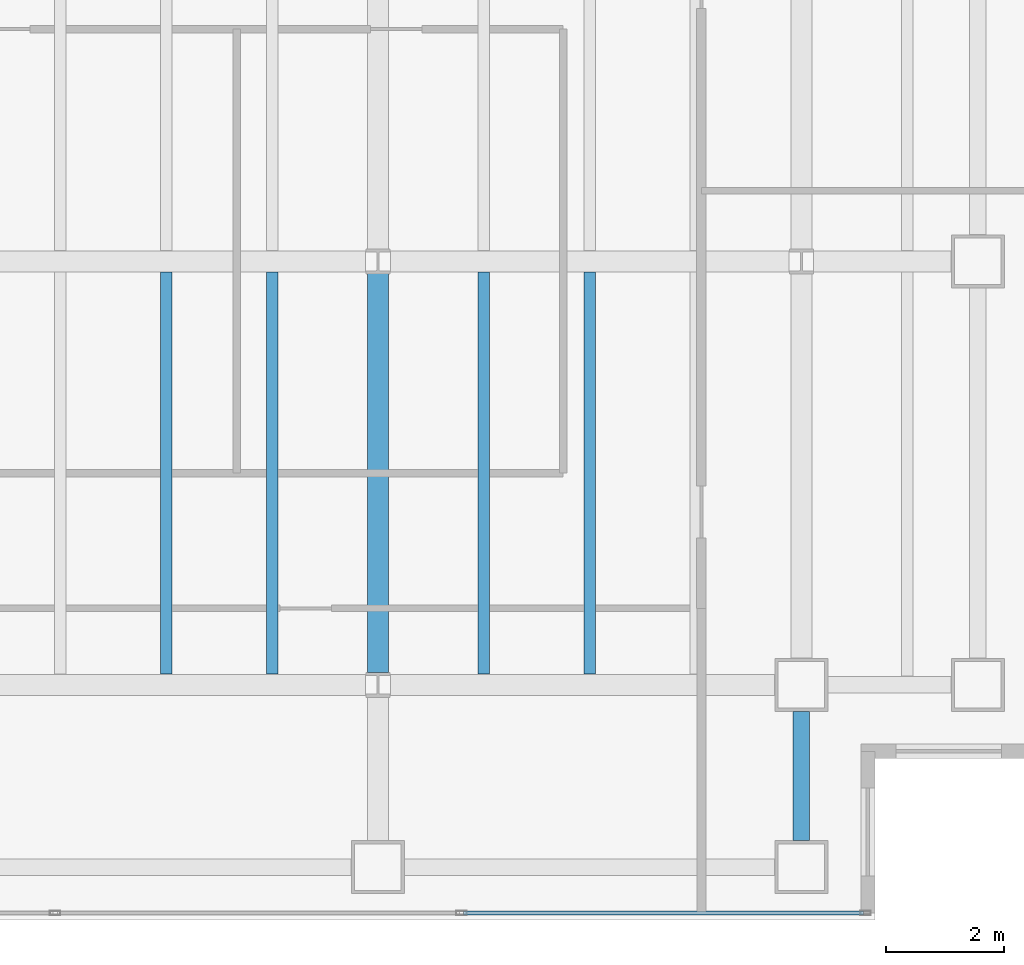
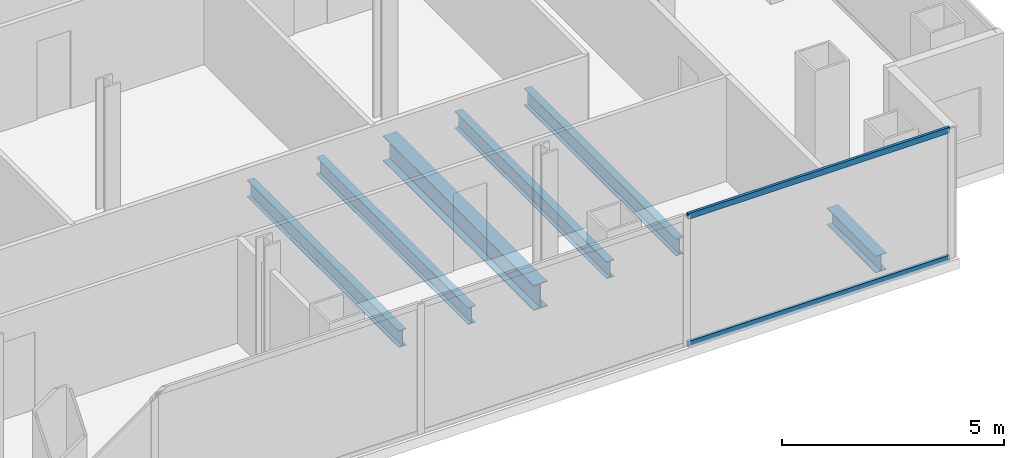
# One storey, part 10 of 24: 6 beams, 2 members, 1 element without a shape of its own.
"""IFC4 building model written with IfcOpenShell, lengths in metres."""

from ifc_helpers import new_model, si_unit, direction, frame, origin, origin_2d, place, context, subcontext, project, spatial, hollow_rectangle, i_section, extrude, material, material_profile, profile_set, type_object, element, aggregate, save


model = new_model("IFC4")

# Units and contexts
model_context = context("Model", 3, precision=1e-05, world=origin(), true_north=direction((0.0, 1.0)))
body_context = subcontext(model_context, "Body", "Model", "MODEL_VIEW")
ifc_project = project(units=[si_unit("LENGTHUNIT", "METRE"), si_unit("AREAUNIT", "SQUARE_METRE"), si_unit("VOLUMEUNIT", "CUBIC_METRE"), si_unit("PLANEANGLEUNIT", "RADIAN"), si_unit("MASSUNIT", "GRAM", prefix="KILO")], contexts=[model_context])

# Site, building, storey
site_placement = place(None, origin())
site = spatial("IfcSite", under=ifc_project, at=site_placement, CompositionType="ELEMENT")
building_placement = place(site_placement, origin())
building = spatial("IfcBuilding", under=site, at=building_placement, Name="Cobrela Telecom Tower", CompositionType="ELEMENT")
storey_placement = place(building_placement, frame((0.0, 0.0, 121.449951171875)))
storey = spatial("IfcBuildingStorey", under=building, at=storey_placement, Name="L30", CompositionType="ELEMENT", Elevation=121.449951171875)

# Beams
ifc_material_1 = material(Name="Steel ASTM A992 Grade 50", Category="steel")
ifc_material_profile_1 = material_profile(ifc_material_1, i_section(OverallWidth=0.35595703125, OverallDepth=0.696044921875, WebThickness=0.015380859375, FlangeThickness=0.024658203125, FilletRadius=0.01806640625, at=origin_2d()), Name="W27X146")
ifc_profile_set_1 = profile_set([ifc_material_profile_1], Name="Steel ASTM A992 Grade 50")
beam_type_1 = type_object("IfcBeamType", Name="BM-GIRD-05", PredefinedType="USERDEFINED", material=ifc_profile_set_1)
beam_1_placement = place(storey_placement, frame((36.0, 7.409423828125, -0.617919921875), z_axis=(0.0, 1.0, 0.0), x_axis=(-1.0, 0.0, 0.0)))
element("IfcBeam", 1, at=beam_1_placement, inside=storey, type_object=beam_type_1, Name="L30 Primary Girder Y50", ObjectType="GIRDER", PredefinedType="USERDEFINED", context=body_context, shape_type="SweptSolid", body=[
    extrude(i_section(OverallWidth=0.35595703125, OverallDepth=0.696044921875, WebThickness=0.015380859375, FlangeThickness=0.024658203125, FilletRadius=0.01806640625, at=origin_2d()), origin(), (0.0, 0.0, 1.0), 6.781005859375),
])
ifc_material_profile_2 = material_profile(ifc_material_1, i_section(OverallWidth=0.193115234375, OverallDepth=0.467041015625, WebThickness=0.011474609375, FlangeThickness=0.01904296875, FilletRadius=0.012939453125, at=origin_2d()), Name="W18X65")
ifc_profile_set_2 = profile_set([ifc_material_profile_2], Name="Steel ASTM A992 Grade 50")
beam_type_2 = type_object("IfcBeamType", Name="BM-JOIST-03", PredefinedType="JOIST", material=ifc_profile_set_2)
for number, where, z_axis, x_axis, name in (
    (2, (32.39990234375, 7.383056640625, -0.50341796875), (0.0, 1.0, 0.0), (-1.0, 0.0, 0.0), "L30 Secondary Composite Floor Beam J29"),
    (3, (34.199951171875, 7.383056640625, -0.50341796875), (0.0, 1.0, 0.0), (-1.0, 0.0, 0.0), "L30 Secondary Composite Floor Beam J31"),
    (4, (37.800048828125, 7.383056640625, -0.50341796875), (0.0, 1.0, 0.0), (-1.0, 0.0, 0.0), "L30 Secondary Composite Floor Beam J33"),
    (5, (39.60009765625, 7.383056640625, -0.50341796875), (0.0, 1.0, 0.0), (-1.0, 0.0, 0.0), "L30 Secondary Composite Floor Beam J35"),
):
    element("IfcBeam", number, at=place(storey_placement, frame(where, z_axis=z_axis, x_axis=x_axis)), inside=storey, type_object=beam_type_2, Name=name, PredefinedType="JOIST", context=body_context, shape_type="SweptSolid", body=[
        extrude(i_section(OverallWidth=0.193115234375, OverallDepth=0.467041015625, WebThickness=0.011474609375, FlangeThickness=0.01904296875, FilletRadius=0.012939453125, at=origin_2d()), origin(), (0.0, 0.0, 1.0), 6.833984375),
    ])
ifc_material_profile_3 = material_profile(ifc_material_1, i_section(OverallWidth=0.281982421875, OverallDepth=0.467041015625, WebThickness=0.01220703125, FlangeThickness=0.01953125, FilletRadius=0.012939453125, at=origin_2d()), Name="W18X86")
ifc_profile_set_3 = profile_set([ifc_material_profile_3], Name="Steel ASTM A992 Grade 50")
beam_type_3 = type_object("IfcBeamType", Name="BM-SPAND-04", PredefinedType="SPANDREL", material=ifc_profile_set_3)
beam_2_placement = place(storey_placement, frame((43.199951171875, 4.554931640625, -0.50341796875), z_axis=(0.0, 1.0, 0.0), x_axis=(-1.0, 0.0, 0.0)))
element("IfcBeam", 6, at=beam_2_placement, inside=storey, type_object=beam_type_3, Name="L30 Perimeter Spandrel Y52", PredefinedType="SPANDREL", context=body_context, shape_type="SweptSolid", body=[
    extrude(i_section(OverallWidth=0.281982421875, OverallDepth=0.467041015625, WebThickness=0.01220703125, FlangeThickness=0.01953125, FilletRadius=0.012939453125, at=origin_2d()), origin(), (0.0, 0.0, 1.0), 2.190185546875),
])

# Curtain wall, members
ifc_material_2 = material(Name="Anodized Bronze Aluminium 6063-T6", Category="aluminium")
curtain_wall_type = type_object("IfcCurtainWallType", Name="CW-SYS-TEL", PredefinedType="USERDEFINED", material=ifc_material_2)
curtain_wall_placement = place(storey_placement, origin())
curtain_wall = element("IfcCurtainWall", 7, at=curtain_wall_placement, inside=storey, type_object=curtain_wall_type, Name="L30 Unitised Bronze Curtain Wall 17", ObjectType="UNITISED CURTAIN WALL", PredefinedType="USERDEFINED")
ifc_material_profile_4 = material_profile(ifc_material_2, hollow_rectangle(XDim=0.070068359375, YDim=0.159912109375, WallThickness=0.00390625, at=origin_2d()), Name="ALU 70x160x4")
ifc_profile_set_4 = profile_set([ifc_material_profile_4], Name="Anodized Bronze Aluminium 6063-T6")
member_type = type_object("IfcMemberType", Name="CW-SYS-TEL-TRN", PredefinedType="USERDEFINED", material=ifc_profile_set_4)
member_1_placement = place(storey_placement, frame((44.2548828125, 3.320068359375, 0.03515625), z_axis=(-1.0, 0.0, 0.0), x_axis=(0.0, -1.0, 0.0)))
member_1 = element("IfcMember", 8, at=member_1_placement, type_object=member_type, Name="CW-TEL transom 1.1", ObjectType="TRANSOM", PredefinedType="USERDEFINED", context=body_context, shape_type="SweptSolid", body=[
    extrude(hollow_rectangle(XDim=0.070068359375, YDim=0.159912109375, WallThickness=0.00390625, at=origin_2d()), origin(), (0.0, 0.0, 1.0), 6.79736328125),
])
member_2_placement = place(storey_placement, frame((44.2548828125, 3.320068359375, 3.545166015625), z_axis=(-1.0, 0.0, 0.0), x_axis=(0.0, -1.0, 0.0)))
member_2 = element("IfcMember", 9, at=member_2_placement, type_object=member_type, Name="CW-TEL transom 1.2", ObjectType="TRANSOM", PredefinedType="USERDEFINED", context=body_context, shape_type="SweptSolid", body=[
    extrude(hollow_rectangle(XDim=0.070068359375, YDim=0.159912109375, WallThickness=0.00390625, at=origin_2d()), origin(), (0.0, 0.0, 1.0), 6.79736328125),
])
aggregate(curtain_wall, [member_1, member_2])

save(model, "model.ifc")
